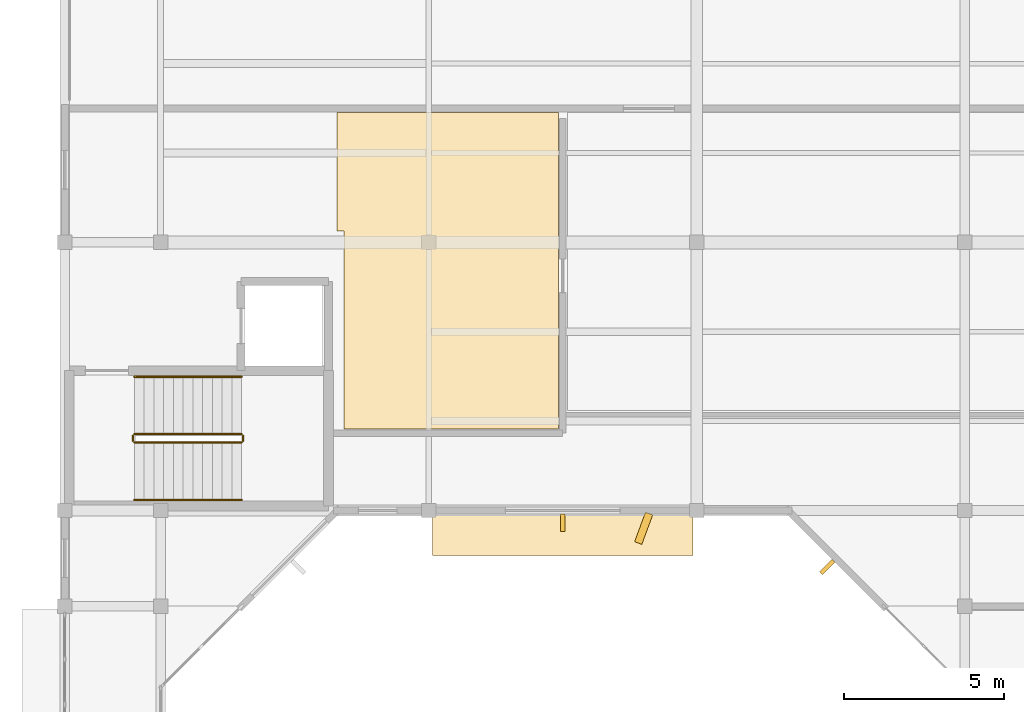
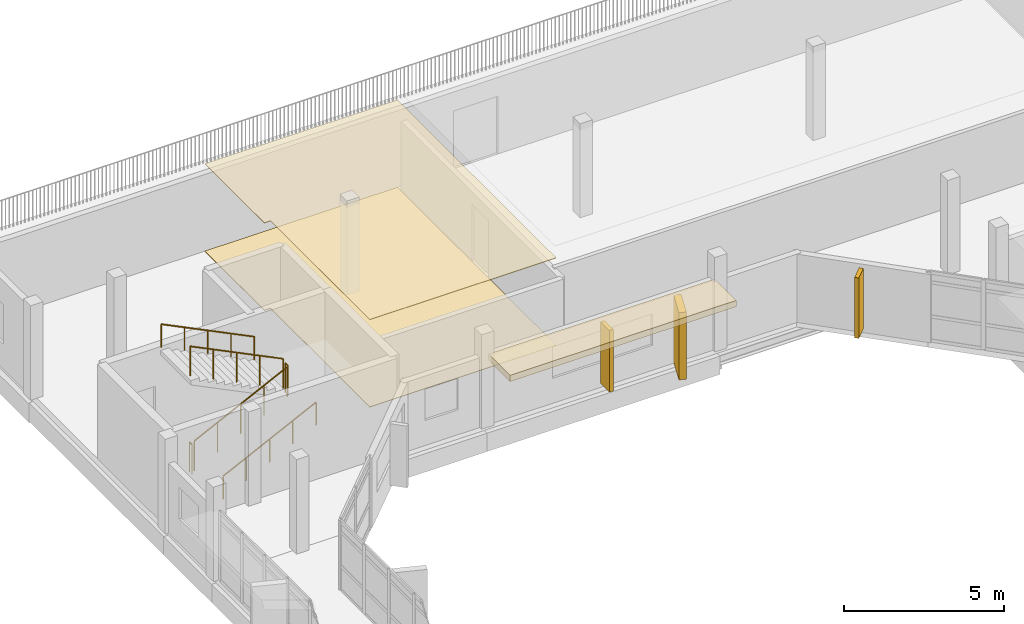
# One storey, part 34 of 42: 6 railings, 4 coverings, 2 shading devices.
"""IFC4 building model written with IfcOpenShell, lengths in metres."""

import ifcopenshell
import ifcopenshell.guid

model = None  # the IFC model being written
_history = None  # IfcOwnerHistory: only IFC2X3 demands one
_inside = {}  # id of a spatial element -> (the spatial element, [elements in it])
_under = {}  # id of a project, library or spatial element -> (it, [spatial elements below it])
_declared = {}  # id of a project -> (the project, [libraries it declares])
_typed = {}  # id of a type object -> (the type object, [elements of that type])
_made_of = {}  # id of a material, layer set ... -> (it, [elements and type objects made of it])


def new_model(schema):
    """Start an empty IFC model of exactly this schema.

    Asked for "IFC4X3", IfcOpenShell would pick the latest addendum, in which some entities
    have other attributes; the version numbers below select the first issue.
    IFC2X3 requires an IfcOwnerHistory on every rooted entity: one is made here for all.
    """
    global model, _history
    if schema == "IFC4X3":
        model = ifcopenshell.file(schema_version=(4, 3, 0, 0))
    else:
        model = ifcopenshell.file(schema=schema)
    _inside.clear()
    _under.clear()
    _declared.clear()
    _typed.clear()
    _made_of.clear()
    _history = None
    if model.schema == "IFC2X3":
        org = make("IfcOrganization", Name="unknown")
        user = make(
            "IfcPersonAndOrganization",
            ThePerson=make("IfcPerson", FamilyName="unknown"),
            TheOrganization=org,
        )
        app = make(
            "IfcApplication",
            ApplicationDeveloper=org,
            Version="unknown",
            ApplicationFullName="unknown",
            ApplicationIdentifier="unknown",
        )
        _history = make(
            "IfcOwnerHistory",
            OwningUser=user,
            OwningApplication=app,
            ChangeAction="ADDED",
            CreationDate=0,
        )
    return model


def make(cls, **values):
    """One entity of the class cls with the attributes given. An attribute that is None is left unset."""
    return model.create_entity(
        cls, **{name: value for name, value in values.items() if value is not None}
    )


def rooted(cls, **values):
    """An entity with a GlobalId (a new one), such as an element, a storey or a relation."""
    return make(cls, GlobalId=ifcopenshell.guid.new(), OwnerHistory=_history, **values)


def si_unit(unit_type, name, prefix=None):
    """IfcSIUnit, for example si_unit("LENGTHUNIT", "METRE", prefix="MILLI")."""
    return make("IfcSIUnit", UnitType=unit_type, Prefix=prefix, Name=name)


def assignment(units):
    """IfcUnitAssignment: the units of a project."""
    return None if units is None else make("IfcUnitAssignment", Units=units)


def point(xyz):
    """IfcCartesianPoint."""
    return None if xyz is None else make("IfcCartesianPoint", Coordinates=xyz)


def direction(xyz):
    """IfcDirection."""
    return None if xyz is None else make("IfcDirection", DirectionRatios=xyz)


def frame(location, z_axis=None, x_axis=None):
    """IfcAxis2Placement3D, a coordinate frame: its origin and axes. An axis left out is left unset."""
    return make(
        "IfcAxis2Placement3D",
        Location=point(location),
        Axis=direction(z_axis),
        RefDirection=direction(x_axis),
    )


def frame_2d(location, x_axis=None):
    """IfcAxis2Placement2D, a coordinate frame in the plane: its origin and x axis."""
    return make(
        "IfcAxis2Placement2D", Location=point(location), RefDirection=direction(x_axis)
    )


def origin():
    """The frame at (0, 0, 0) with its axes left unset."""
    return frame((0.0, 0.0, 0.0))


def origin_2d():
    """The frame at (0, 0) in the plane with its x axis left unset."""
    return frame_2d((0.0, 0.0))


def place(relative_to, where):
    """IfcLocalPlacement: puts the frame where relative to a parent placement (None: the world)."""
    return make(
        "IfcLocalPlacement", PlacementRelTo=relative_to, RelativePlacement=where
    )


def context(
    kind, dimensions, precision=None, world=None, true_north=None, identifier=None
):
    """IfcGeometricRepresentationContext, for example the 3D "Model" context."""
    return make(
        "IfcGeometricRepresentationContext",
        ContextIdentifier=identifier,
        ContextType=kind,
        CoordinateSpaceDimension=dimensions,
        Precision=precision,
        WorldCoordinateSystem=world,
        TrueNorth=true_north,
    )


def subcontext(parent, identifier, kind, view, scale=None):
    """IfcGeometricRepresentationSubContext, for example "Body" below "Model"."""
    return make(
        "IfcGeometricRepresentationSubContext",
        ContextIdentifier=identifier,
        ContextType=kind,
        ParentContext=parent,
        TargetScale=scale,
        TargetView=view,
    )


def project(units=None, contexts=None):
    """IfcProject with its units and contexts."""
    return rooted(
        "IfcProject",
        Name="project",
        RepresentationContexts=contexts,
        UnitsInContext=assignment(units),
    )


def spatial(cls, under=None, at=None, **own):
    """A site, building, storey or space (cls), placed at a placement, below another one or the project."""
    s = rooted(cls, ObjectPlacement=at, **own)
    if under is not None:
        _under.setdefault(under.id(), (under, []))[1].append(s)
    return s


def polyline(points):
    """IfcPolyline through the points."""
    return make("IfcPolyline", Points=[point(p) for p in points])


def profile(cls, at=None, kind="AREA", **sizes):
    """A parametric profile (cls). Its sizes go by their IFC names, for example OverallWidth=200.0."""
    return make(cls, ProfileType=kind, Position=at, **sizes)


def rectangle(**sizes):
    """IfcRectangleProfileDef."""
    return profile("IfcRectangleProfileDef", **sizes)


def circle(**sizes):
    """IfcCircleProfileDef."""
    return profile("IfcCircleProfileDef", **sizes)


def outline(outer, holes=None, kind="AREA"):
    """IfcArbitraryClosedProfileDef: a profile drawn as a closed curve; with holes, ...WithVoids."""
    if holes is None:
        return make("IfcArbitraryClosedProfileDef", ProfileType=kind, OuterCurve=outer)
    return make(
        "IfcArbitraryProfileDefWithVoids",
        ProfileType=kind,
        OuterCurve=outer,
        InnerCurves=holes,
    )


def extrude(swept, where, along, depth):
    """IfcExtrudedAreaSolid: the profile swept, set in the frame where, extruded along a direction by depth."""
    return make(
        "IfcExtrudedAreaSolid",
        SweptArea=swept,
        Position=where,
        ExtrudedDirection=direction(along),
        Depth=depth,
    )


def shape(context_of_items, identifier, shape_type, items):
    """IfcShapeRepresentation: the items that make up one representation, for example the "Body"."""
    return make(
        "IfcShapeRepresentation",
        ContextOfItems=context_of_items,
        RepresentationIdentifier=identifier,
        RepresentationType=shape_type,
        Items=items,
    )


def material(Name=None, Category=None):
    """IfcMaterial."""
    return make("IfcMaterial", Name=Name, Category=Category)


def layer(
    of_material, thickness, ventilated=None, Name=None, Category=None, Priority=None
):
    """IfcMaterialLayer: one layer of a wall or slab, of a material (None: an air gap)."""
    return make(
        "IfcMaterialLayer",
        Material=of_material,
        LayerThickness=thickness,
        IsVentilated=ventilated,
        Name=Name,
        Category=Category,
        Priority=Priority,
    )


def layer_set(layers, Name=None):
    """IfcMaterialLayerSet."""
    return make("IfcMaterialLayerSet", MaterialLayers=layers, LayerSetName=Name)


def made_of(thing, what):
    """Note that an element or type object is made of a material, layer set ...; save() writes the relation."""
    if what is not None:
        _made_of.setdefault(what.id(), (what, []))[1].append(thing)
    return thing


def type_object(cls, material=None, **own):
    """A type object (cls), such as IfcWallType, which elements share."""
    return made_of(rooted(cls, **own), material)


def element(
    cls,
    number,
    at=None,
    inside=None,
    cuts=None,
    type_object=None,
    material=None,
    context=None,
    identifier="Body",
    shape_type=None,
    held_by="IfcProductDefinitionShape",
    body=None,
    shapes=None,
    **own,
):
    """One element of the class cls, such as IfcWall. Its Tag is "e" and its number.

    at: its placement. inside: the storey or other place that contains it. cuts: it is an
    opening in that element (IfcRelVoidsElement). A single representation is given by context,
    identifier, shape_type and body (its items); several are given by shapes. held_by: the class
    of the entity that holds the representations. save() writes the other relations.
    """
    e = rooted(cls, Tag="e%d" % number, ObjectPlacement=at, **own)
    if body is not None:
        shapes = [shape(context, identifier, shape_type, body)]
    if shapes is not None:
        e.Representation = make(held_by, Representations=shapes)
    if inside is not None:
        _inside.setdefault(inside.id(), (inside, []))[1].append(e)
    if cuts is not None:
        rooted(
            "IfcRelVoidsElement", RelatingBuildingElement=cuts, RelatedOpeningElement=e
        )
    if type_object is not None:
        _typed.setdefault(type_object.id(), (type_object, []))[1].append(e)
    return made_of(e, material)


def aggregate(whole, parts):
    """IfcRelAggregates: a whole, such as a stair, and the parts it consists of."""
    return rooted("IfcRelAggregates", RelatingObject=whole, RelatedObjects=parts)


def save(model, path):
    """Write the relations noted so far, then the file.

    IfcRelAggregates (storeys below a building ...), IfcRelContainedInSpatialStructure (elements
    in a storey), IfcRelDefinesByType, IfcRelAssociatesMaterial and IfcRelDeclares: one each for
    every whole, place, type object, material and project.
    """
    for whole, parts in _under.values():
        aggregate(whole, parts)
    for where, things in _inside.values():
        rooted(
            "IfcRelContainedInSpatialStructure",
            RelatedElements=things,
            RelatingStructure=where,
        )
    for kind, things in _typed.values():
        rooted("IfcRelDefinesByType", RelatedObjects=things, RelatingType=kind)
    for what, things in _made_of.values():
        rooted("IfcRelAssociatesMaterial", RelatedObjects=things, RelatingMaterial=what)
    for by, libraries in _declared.values():
        rooted("IfcRelDeclares", RelatingContext=by, RelatedDefinitions=libraries)
    model.write(path)


model = new_model("IFC4")

# Units and contexts
model_context = context("Model", 3, precision=1e-05, world=origin(), true_north=direction((0.0, 1.0)))
body_context = subcontext(model_context, "Body", "Model", "MODEL_VIEW")
ifc_project = project(units=[si_unit("LENGTHUNIT", "METRE"), si_unit("AREAUNIT", "SQUARE_METRE"), si_unit("VOLUMEUNIT", "CUBIC_METRE"), si_unit("PLANEANGLEUNIT", "RADIAN"), si_unit("MASSUNIT", "GRAM", prefix="KILO")], contexts=[model_context])

# Site, building, storey
site_placement = place(None, origin())
site = spatial("IfcSite", under=ifc_project, at=site_placement, CompositionType="ELEMENT")
building_placement = place(site_placement, origin())
building = spatial("IfcBuilding", under=site, at=building_placement, Name="Vanh Quang Courtyard School", CompositionType="ELEMENT")
storey_placement = place(building_placement, frame((0.0, 0.0, 15.0)))
storey = spatial("IfcBuildingStorey", under=building, at=storey_placement, Name="L04", CompositionType="ELEMENT", Elevation=15.0)

# Coverings
ifc_material_1 = material(Name="Perforated mineral-fibre acoustic ceiling board")
ifc_layer_1 = layer(ifc_material_1, 0.02490234375)
ifc_layer_set_1 = layer_set([ifc_layer_1], Name="Perforated mineral-fibre acoustic ceiling board")
covering_type_1 = type_object("IfcCoveringType", Name="COV-CEIL-ACOUSTIC", PredefinedType="CEILING", material=ifc_layer_set_1)
covering_1_placement = place(storey_placement, frame((0.0, 0.0, 3.324951171875)))
element("IfcCovering", 1, at=covering_1_placement, inside=storey, type_object=covering_type_1, Name="Covering CV-CL1 (L04)", PredefinedType="CEILING", context=body_context, shape_type="SweptSolid", body=[
    extrude(outline(polyline([(53.27001953125, 73.9599609375), (53.27001953125, 73.958984375), (53.269775390625, 73.9580078125), (53.26953125, 73.95703125), (53.269287109375, 73.956298828125), (53.268798828125, 73.955322265625), (53.268310546875, 73.954345703125), (53.267578125, 73.95361328125), (53.26708984375, 73.952880859375), (53.266357421875, 73.952392578125), (53.265625, 73.95166015625), (53.2646484375, 73.951171875), (53.263916015625, 73.95068359375), (53.262939453125, 73.950439453125), (53.261962890625, 73.9501953125), (53.260986328125, 73.949951171875), (53.260009765625, 73.949951171875), (46.550048828125, 73.949951171875), (46.550048828125, 80.14990234375), (46.330078125, 80.14990234375), (46.330078125, 83.860107421875), (46.330078125, 83.861083984375), (46.330078125, 83.862060546875), (46.330322265625, 83.86279296875), (46.330810546875, 83.86376953125), (46.331298828125, 83.86474609375), (46.331787109375, 83.865478515625), (46.332275390625, 83.8662109375), (46.3330078125, 83.8671875), (46.333740234375, 83.86767578125), (46.33447265625, 83.868408203125), (46.335205078125, 83.868896484375), (46.336181640625, 83.869140625), (46.337158203125, 83.86962890625), (46.337890625, 83.869873046875), (46.339111328125, 83.8701171875), (46.340087890625, 83.8701171875), (53.260009765625, 83.8701171875), (53.260986328125, 83.8701171875), (53.261962890625, 83.869873046875), (53.262939453125, 83.86962890625), (53.263916015625, 83.869140625), (53.2646484375, 83.868896484375), (53.265625, 83.868408203125), (53.266357421875, 83.86767578125), (53.26708984375, 83.8671875), (53.267578125, 83.8662109375), (53.268310546875, 83.865478515625), (53.268798828125, 83.86474609375), (53.269287109375, 83.86376953125), (53.26953125, 83.86279296875), (53.269775390625, 83.862060546875), (53.27001953125, 83.861083984375), (53.27001953125, 83.860107421875), (53.27001953125, 73.9599609375)])), origin(), (0.0, 0.0, 1.0), 0.025146484375),
])
ifc_material_2 = material(Name="Polished cementitious terrazzo tile", Category="concrete")
ifc_layer_2 = layer(ifc_material_2, 0.02001953125)
ifc_layer_set_2 = layer_set([ifc_layer_2], Name="Polished cementitious terrazzo tile")
covering_type_2 = type_object("IfcCoveringType", Name="COV-FLR-TERRAZZO", PredefinedType="FLOORING", material=ifc_layer_set_2)
covering_2_placement = place(storey_placement, origin())
element("IfcCovering", 2, at=covering_2_placement, inside=storey, type_object=covering_type_2, Name="Covering CV-FL1 (L04)", PredefinedType="FLOORING", context=body_context, shape_type="SweptSolid", body=[
    extrude(outline(polyline([(53.27001953125, 73.9599609375), (53.27001953125, 73.958984375), (53.269775390625, 73.9580078125), (53.26953125, 73.95703125), (53.269287109375, 73.956298828125), (53.268798828125, 73.955322265625), (53.268310546875, 73.954345703125), (53.267578125, 73.95361328125), (53.26708984375, 73.952880859375), (53.266357421875, 73.952392578125), (53.265625, 73.95166015625), (53.2646484375, 73.951171875), (53.263916015625, 73.95068359375), (53.262939453125, 73.950439453125), (53.261962890625, 73.9501953125), (53.260986328125, 73.949951171875), (53.260009765625, 73.949951171875), (46.550048828125, 73.949951171875), (46.550048828125, 80.14990234375), (46.330078125, 80.14990234375), (46.330078125, 83.860107421875), (46.330078125, 83.861083984375), (46.330078125, 83.862060546875), (46.330322265625, 83.86279296875), (46.330810546875, 83.86376953125), (46.331298828125, 83.86474609375), (46.331787109375, 83.865478515625), (46.332275390625, 83.8662109375), (46.3330078125, 83.8671875), (46.333740234375, 83.86767578125), (46.33447265625, 83.868408203125), (46.335205078125, 83.868896484375), (46.336181640625, 83.869140625), (46.337158203125, 83.86962890625), (46.337890625, 83.869873046875), (46.339111328125, 83.8701171875), (46.340087890625, 83.8701171875), (53.260009765625, 83.8701171875), (53.260986328125, 83.8701171875), (53.261962890625, 83.869873046875), (53.262939453125, 83.86962890625), (53.263916015625, 83.869140625), (53.2646484375, 83.868896484375), (53.265625, 83.868408203125), (53.266357421875, 83.86767578125), (53.26708984375, 83.8671875), (53.267578125, 83.8662109375), (53.268310546875, 83.865478515625), (53.268798828125, 83.86474609375), (53.269287109375, 83.86376953125), (53.26953125, 83.86279296875), (53.269775390625, 83.862060546875), (53.27001953125, 83.861083984375), (53.27001953125, 83.860107421875), (53.27001953125, 73.9599609375)])), origin(), (0.0, 0.0, 1.0), 0.02001953125),
])
ifc_material_3 = material(Name="Board-marked precast concrete C40/50", Category="concrete")
ifc_layer_3 = layer(ifc_material_3, 0.239990234375)
ifc_layer_set_3 = layer_set([ifc_layer_3], Name="Board-marked precast concrete C40/50")
covering_type_3 = type_object("IfcCoveringType", Name="COV-HOOD-CONC", PredefinedType="CLADDING", material=ifc_layer_set_3)
covering_3_placement = place(storey_placement, frame((53.39990234375, 70.669921875, 2.41015625), z_axis=(0.0, 0.0, 1.0), x_axis=(-1.0, 0.0, 0.0)))
element("IfcCovering", 3, at=covering_3_placement, inside=storey, type_object=covering_type_3, Name="Covering CH-01 (L04)", PredefinedType="CLADDING", context=body_context, shape_type="SweptSolid", body=[
    extrude(rectangle(XDim=8.154052734375, YDim=1.35009765625, at=origin_2d()), origin(), (0.0, 0.0, 1.0), 0.239990234375),
])
covering_4_placement = place(storey_placement, frame((55.934326171875, 70.840087890625, 0.0), z_axis=(0.0, 0.0, 1.0), x_axis=(-0.346608245445, -0.938009980858, 0.0)))
element("IfcCovering", 4, at=covering_4_placement, inside=storey, type_object=covering_type_3, Name="Covering CH-01 (L04)", PredefinedType="CLADDING", context=body_context, shape_type="SweptSolid", body=[
    extrude(rectangle(XDim=0.980712890625, YDim=0.239990234375, at=origin_2d()), origin(), (0.0, 0.0, 1.0), 2.56005859375),
])

# Railings
ifc_material_4 = material(Name="Galvanised painted steel EN 10025-2 S355J2", Category="steel")
railing_type_1 = type_object("IfcRailingType", Name="RAIL-GUARD-1150", PredefinedType="BALUSTRADE", material=ifc_material_4)
railing_1_placement = place(storey_placement, frame((39.97998046875, 73.530029296875, 0.14990234375)))
element("IfcRailing", 5, at=railing_1_placement, inside=storey, type_object=railing_type_1, Name="L04 ST-03 stair guard 1", PredefinedType="BALUSTRADE", context=body_context, shape_type="SweptSolid", body=[
    extrude(circle(Radius=0.02392578125, at=origin_2d()), frame((0.0, 0.0, 1.1259765625), z_axis=(0.89733343241, 0.0, 0.441353272424), x_axis=(0.0, 1.0, 0.0)), (0.0, 0.0, 1.0), 3.73876953125),
    extrude(circle(Radius=0.02099609375, at=origin_2d()), origin(), (0.0, 0.0, 1.0), 1.101806640625),
    extrude(circle(Radius=0.02099609375, at=origin_2d()), frame((0.8388671875, 0.0, 0.41259765625)), (0.0, 0.0, 1.0), 1.101806640625),
    extrude(circle(Radius=0.02099609375, at=origin_2d()), frame((1.677490234375, 0.0, 0.8251953125)), (0.0, 0.0, 1.0), 1.101806640625),
    extrude(circle(Radius=0.02099609375, at=origin_2d()), frame((2.51611328125, 0.0, 1.237548828125)), (0.0, 0.0, 1.0), 1.101806640625),
    extrude(circle(Radius=0.02099609375, at=origin_2d()), frame((3.35498046875, 0.0, 1.650146484375)), (0.0, 0.0, 1.0), 1.101806640625),
])
railing_2_placement = place(storey_placement, frame((43.385009765625, 73.580078125, 1.800048828125)))
element("IfcRailing", 6, at=railing_2_placement, inside=storey, type_object=railing_type_1, Name="L04 ST-03 stair guard 2", PredefinedType="BALUSTRADE", context=body_context, shape_type="SweptSolid", body=[
    extrude(circle(Radius=0.02392578125, at=origin_2d()), frame((0.0, 0.0, 1.1259765625), z_axis=(0.0, 1.0, 0.0), x_axis=(-1.0, 0.0, 0.0)), (0.0, 0.0, 1.0), 0.159912109375),
    extrude(circle(Radius=0.02099609375, at=origin_2d()), origin(), (0.0, 0.0, 1.0), 1.101806640625),
    extrude(circle(Radius=0.02099609375, at=origin_2d()), frame((0.0, 0.159912109375, 0.0)), (0.0, 0.0, 1.0), 1.101806640625),
])
railing_3_placement = place(storey_placement, frame((43.3349609375, 73.7900390625, 1.949951171875)))
element("IfcRailing", 7, at=railing_3_placement, inside=storey, type_object=railing_type_1, Name="L04 ST-03 stair guard 3", PredefinedType="BALUSTRADE", context=body_context, shape_type="SweptSolid", body=[
    extrude(circle(Radius=0.02392578125, at=origin_2d()), frame((0.0, 0.0, 1.1259765625), z_axis=(-0.89733343241, 0.0, 0.441353272424), x_axis=(0.0, -1.0, 0.0)), (0.0, 0.0, 1.0), 3.73876953125),
    extrude(circle(Radius=0.02099609375, at=origin_2d()), origin(), (0.0, 0.0, 1.0), 1.101806640625),
    extrude(circle(Radius=0.02099609375, at=origin_2d()), frame((-0.8388671875, 0.0, 0.41259765625)), (0.0, 0.0, 1.0), 1.101806640625),
    extrude(circle(Radius=0.02099609375, at=origin_2d()), frame((-1.677490234375, 0.0, 0.8251953125)), (0.0, 0.0, 1.0), 1.101806640625),
    extrude(circle(Radius=0.02099609375, at=origin_2d()), frame((-2.51611328125, 0.0, 1.237548828125)), (0.0, 0.0, 1.0), 1.101806640625),
    extrude(circle(Radius=0.02099609375, at=origin_2d()), frame((-3.35498046875, 0.0, 1.650146484375)), (0.0, 0.0, 1.0), 1.101806640625),
])
railing_4_placement = place(storey_placement, frame((39.929931640625, 73.580078125, 0.0)))
element("IfcRailing", 8, at=railing_4_placement, inside=storey, type_object=railing_type_1, Name="L04 ST-03 stair guard 4", PredefinedType="BALUSTRADE", context=body_context, shape_type="SweptSolid", body=[
    extrude(circle(Radius=0.02392578125, at=origin_2d()), frame((0.0, 0.0, 1.1259765625), z_axis=(0.0, 1.0, 0.0), x_axis=(-1.0, 0.0, 0.0)), (0.0, 0.0, 1.0), 0.159912109375),
    extrude(circle(Radius=0.02099609375, at=origin_2d()), origin(), (0.0, 0.0, 1.0), 1.101806640625),
    extrude(circle(Radius=0.02099609375, at=origin_2d()), frame((0.0, 0.159912109375, 0.0)), (0.0, 0.0, 1.0), 1.101806640625),
])
ifc_material_5 = material(Name="Brushed stainless steel", Category="steel")
railing_type_2 = type_object("IfcRailingType", Name="RAIL-HAND-900", PredefinedType="HANDRAIL", material=ifc_material_5)
railing_5_placement = place(storey_placement, frame((39.97998046875, 71.72998046875, 0.14990234375)))
element("IfcRailing", 9, at=railing_5_placement, inside=storey, type_object=railing_type_2, Name="L04 ST-03 stair handrail 1", PredefinedType="HANDRAIL", context=body_context, shape_type="SweptSolid", body=[
    extrude(circle(Radius=0.02392578125, at=origin_2d()), frame((0.0, 0.0, 0.8759765625), z_axis=(0.89733343241, 0.0, 0.441353272424), x_axis=(0.0, 1.0, 0.0)), (0.0, 0.0, 1.0), 3.73876953125),
    extrude(circle(Radius=0.02099609375, at=origin_2d()), origin(), (0.0, 0.0, 1.0), 0.851806640625),
    extrude(circle(Radius=0.02099609375, at=origin_2d()), frame((0.8388671875, 0.0, 0.41259765625)), (0.0, 0.0, 1.0), 0.851806640625),
    extrude(circle(Radius=0.02099609375, at=origin_2d()), frame((1.677490234375, 0.0, 0.8251953125)), (0.0, 0.0, 1.0), 0.851806640625),
    extrude(circle(Radius=0.02099609375, at=origin_2d()), frame((2.51611328125, 0.0, 1.237548828125)), (0.0, 0.0, 1.0), 0.851806640625),
    extrude(circle(Radius=0.02099609375, at=origin_2d()), frame((3.35498046875, 0.0, 1.650146484375)), (0.0, 0.0, 1.0), 0.851806640625),
])
railing_6_placement = place(storey_placement, frame((43.3349609375, 75.590087890625, 1.949951171875)))
element("IfcRailing", 10, at=railing_6_placement, inside=storey, type_object=railing_type_2, Name="L04 ST-03 stair handrail 2", PredefinedType="HANDRAIL", context=body_context, shape_type="SweptSolid", body=[
    extrude(circle(Radius=0.02392578125, at=origin_2d()), frame((0.0, 0.0, 0.8759765625), z_axis=(-0.89733343241, 0.0, 0.441353272424), x_axis=(0.0, -1.0, 0.0)), (0.0, 0.0, 1.0), 3.73876953125),
    extrude(circle(Radius=0.02099609375, at=origin_2d()), origin(), (0.0, 0.0, 1.0), 0.851806640625),
    extrude(circle(Radius=0.02099609375, at=origin_2d()), frame((-0.8388671875, 0.0, 0.41259765625)), (0.0, 0.0, 1.0), 0.851806640625),
    extrude(circle(Radius=0.02099609375, at=origin_2d()), frame((-1.677490234375, 0.0, 0.8251953125)), (0.0, 0.0, 1.0), 0.851806640625),
    extrude(circle(Radius=0.02099609375, at=origin_2d()), frame((-2.51611328125, 0.0, 1.237548828125)), (0.0, 0.0, 1.0), 0.851806640625),
    extrude(circle(Radius=0.02099609375, at=origin_2d()), frame((-3.35498046875, 0.0, 1.650146484375)), (0.0, 0.0, 1.0), 0.851806640625),
])

# Shading devices
shading_device_type = type_object("IfcShadingDeviceType", Name="SHD-FIN-CONCRETE", PredefinedType="USERDEFINED", material=ifc_material_3)
shading_device_1_placement = place(storey_placement, frame((61.683837890625, 69.627685546875, 0.14990234375), z_axis=(0.0, 0.0, 1.0), x_axis=(-0.707106781187, 0.707106781187, 0.0)))
element("IfcShadingDevice", 11, at=shading_device_1_placement, inside=storey, type_object=shading_device_type, Name="Solar Shading SH-02 (L04)", ObjectType="Solar Shading SH-02 (L04)", PredefinedType="USERDEFINED", context=body_context, shape_type="SweptSolid", body=[
    extrude(rectangle(XDim=0.139892578125, YDim=0.550048828125, at=origin_2d()), origin(), (0.0, 0.0, 1.0), 2.300048828125),
])
shading_device_2_placement = place(storey_placement, frame((53.39990234375, 71.014892578125, 0.14990234375), z_axis=(0.0, 0.0, 1.0), x_axis=(-1.0, 0.0, 0.0)))
element("IfcShadingDevice", 12, at=shading_device_2_placement, inside=storey, type_object=shading_device_type, Name="Solar Shading SH-02 (L04)", ObjectType="Solar Shading SH-02 (L04)", PredefinedType="USERDEFINED", context=body_context, shape_type="SweptSolid", body=[
    extrude(rectangle(XDim=0.139892578125, YDim=0.550048828125, at=origin_2d()), origin(), (0.0, 0.0, 1.0), 2.35009765625),
])

save(model, "model.ifc")
